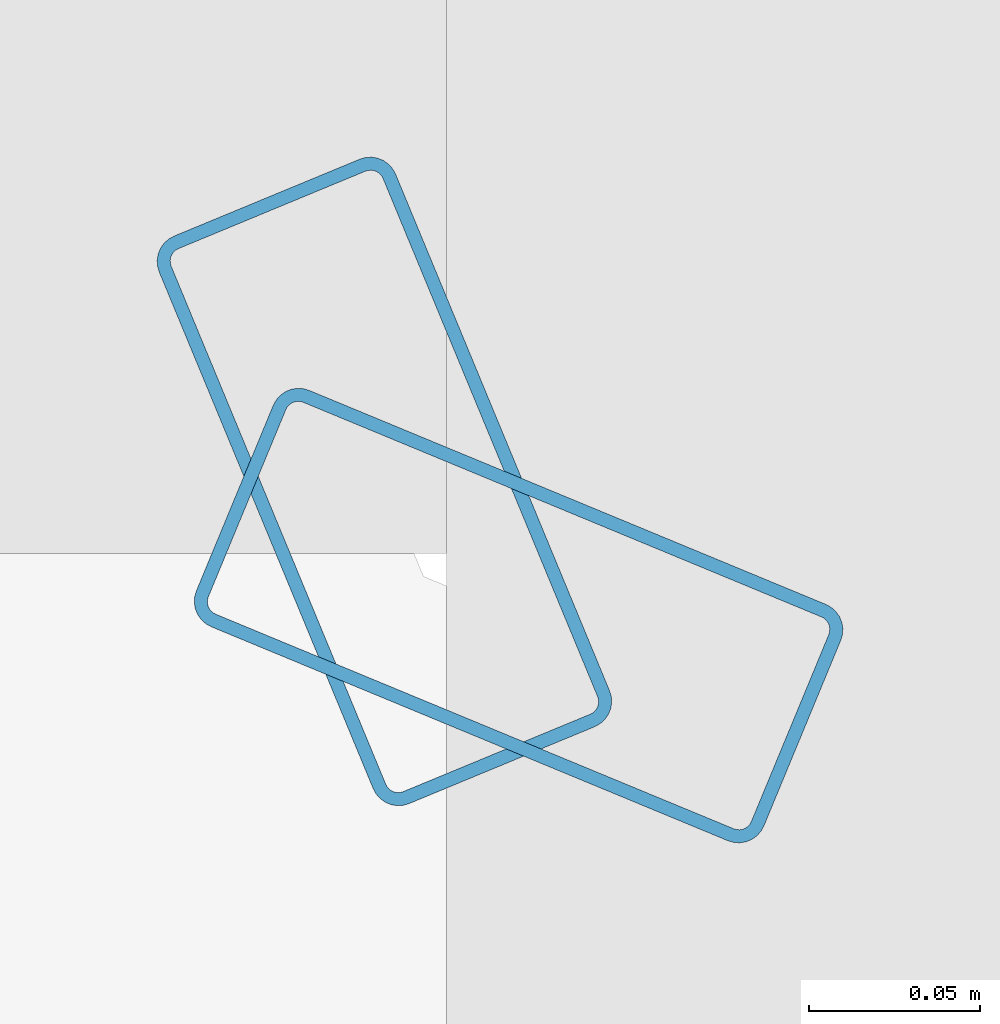
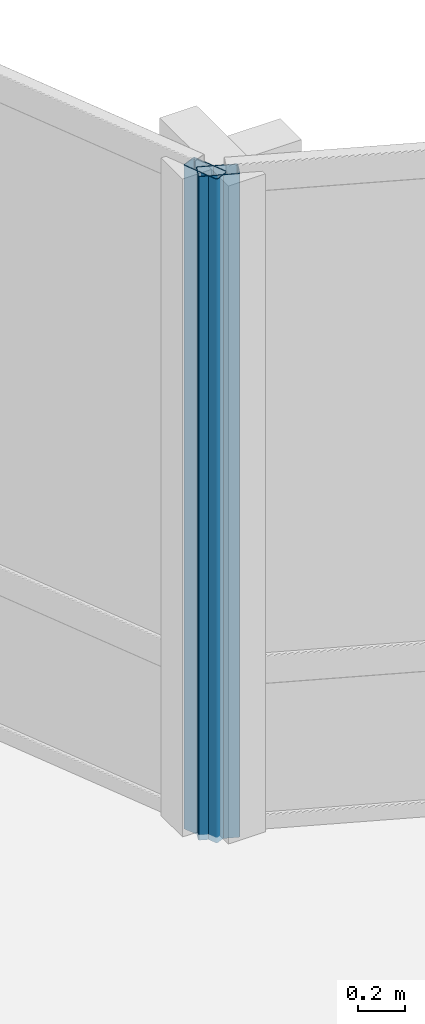
# One storey, part 8 of 28: 2 members, 2 elements without a shape of their own.
"""IFC4 building model written with IfcOpenShell, lengths in metres."""

from ifc_helpers import new_model, si_unit, direction, frame, origin, origin_2d, place, context, subcontext, project, spatial, hollow_rectangle, extrude, material, layer, layer_set, material_profile, profile_set, type_object, element, aggregate, save


model = new_model("IFC4")

# Units and contexts
model_context = context("Model", 3, precision=1e-05, world=origin(), true_north=direction((0.0, 1.0)))
body_context = subcontext(model_context, "Body", "Model", "MODEL_VIEW")
ifc_project = project(units=[si_unit("LENGTHUNIT", "METRE"), si_unit("AREAUNIT", "SQUARE_METRE"), si_unit("VOLUMEUNIT", "CUBIC_METRE"), si_unit("PLANEANGLEUNIT", "RADIAN"), si_unit("MASSUNIT", "GRAM", prefix="KILO")], contexts=[model_context])

# Site, building, storey
site_placement = place(None, origin())
site = spatial("IfcSite", under=ifc_project, at=site_placement, CompositionType="ELEMENT")
building_placement = place(site_placement, origin())
building = spatial("IfcBuilding", under=site, at=building_placement, Name="Solvaryn Broadcast Tower", CompositionType="ELEMENT")
storey_placement = place(building_placement, frame((0.0, 0.0, 158.10009765625)))
storey = spatial("IfcBuildingStorey", under=building, at=storey_placement, Name="L39", CompositionType="ELEMENT", Elevation=158.10009765625)

# Curtain wall, member
ifc_material_1 = material(Name="Aluminium and Terracotta Unitised Curtain Wall", Category="masonry")
ifc_layer = layer(ifc_material_1, 0.199951171875)
ifc_layer_set = layer_set([ifc_layer], Name="CW-SYS2-LOWMID")
curtain_wall_type = type_object("IfcCurtainWallType", Name="CW-SYS2-LOWMID", PredefinedType="NOTDEFINED", material=ifc_layer_set)
curtain_wall_1_placement = place(storey_placement, origin())
curtain_wall_1 = element("IfcCurtainWall", 1, at=curtain_wall_1_placement, inside=storey, type_object=curtain_wall_type, Name="L39 Curtain Wall CN1", PredefinedType="NOTDEFINED")
ifc_material_2 = material(Name="Anodised Aluminium 6063-T6", Category="aluminium")
ifc_material_profile = material_profile(ifc_material_2, hollow_rectangle(XDim=0.074951171875, YDim=0.179931640625, WallThickness=0.00390625, InnerFilletRadius=0.00390625, OuterFilletRadius=0.008056640625, at=origin_2d()))
ifc_profile_set = profile_set([ifc_material_profile], Name="Anodised Aluminium 6063-T6")
member_type = type_object("IfcMemberType", Name="CW-MUL-180", PredefinedType="MULLION", material=ifc_profile_set)
member_1_placement = place(storey_placement, frame((30.395751953125, 30.3564453125, 0.0), z_axis=(0.0, 0.0, 1.0), x_axis=(-0.382646127145, -0.923894983957, 0.0)))
member_1 = element("IfcMember", 2, at=member_1_placement, type_object=member_type, Name="CWS2 mullion 2", PredefinedType="MULLION", context=body_context, shape_type="SweptSolid", body=[
    extrude(hollow_rectangle(XDim=0.074951171875, YDim=0.179931640625, WallThickness=0.00390625, InnerFilletRadius=0.00390625, OuterFilletRadius=0.008056640625, at=origin_2d()), origin(), (0.0, 0.0, 1.0), 3.419921875),
])
aggregate(curtain_wall_1, [member_1])

curtain_wall_2_placement = place(storey_placement, origin())
curtain_wall_2 = element("IfcCurtainWall", 3, at=curtain_wall_2_placement, inside=storey, type_object=curtain_wall_type, Name="L39 Curtain Wall CN2", PredefinedType="NOTDEFINED")
member_2_placement = place(storey_placement, frame((30.3564453125, 30.395751953125, 0.0), z_axis=(0.0, 0.0, 1.0), x_axis=(-0.923894983957, -0.382646127145, 0.0)))
member_2 = element("IfcMember", 4, at=member_2_placement, type_object=member_type, Name="CWS2 mullion 1", PredefinedType="MULLION", context=body_context, shape_type="SweptSolid", body=[
    extrude(hollow_rectangle(XDim=0.074951171875, YDim=0.179931640625, WallThickness=0.00390625, InnerFilletRadius=0.00390625, OuterFilletRadius=0.008056640625, at=origin_2d()), origin(), (0.0, 0.0, 1.0), 3.419921875),
])
aggregate(curtain_wall_2, [member_2])

save(model, "model.ifc")
